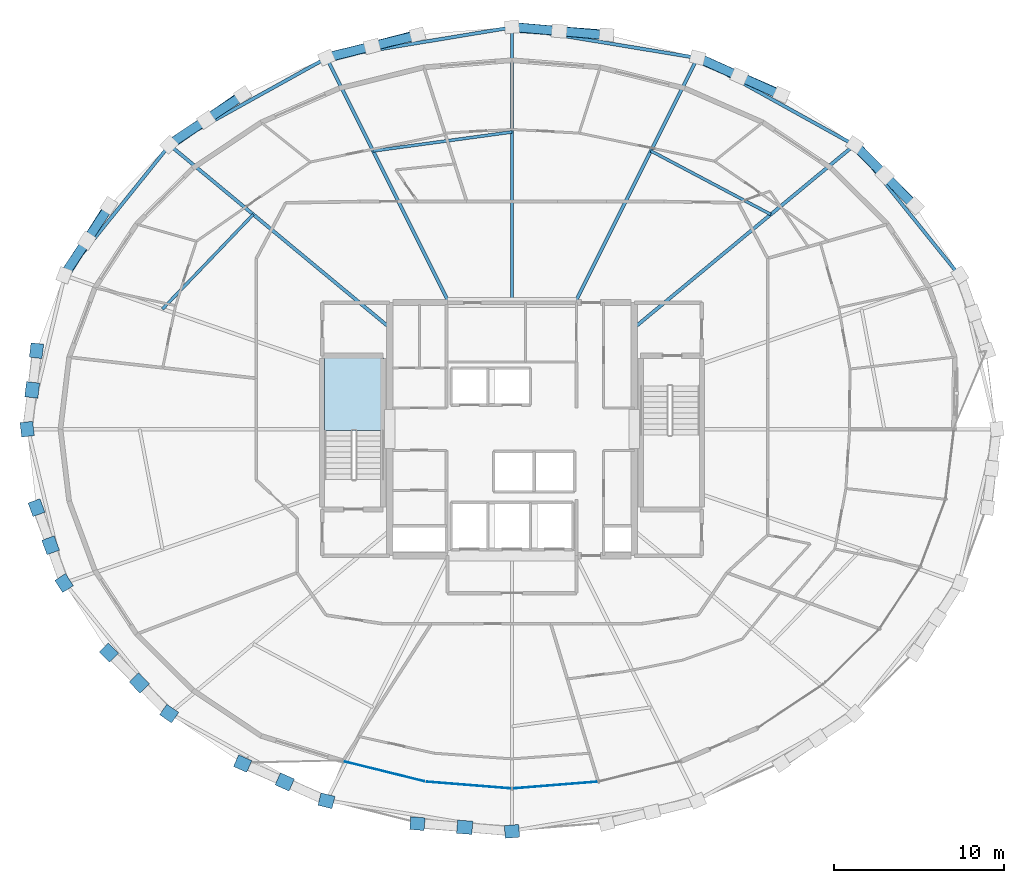
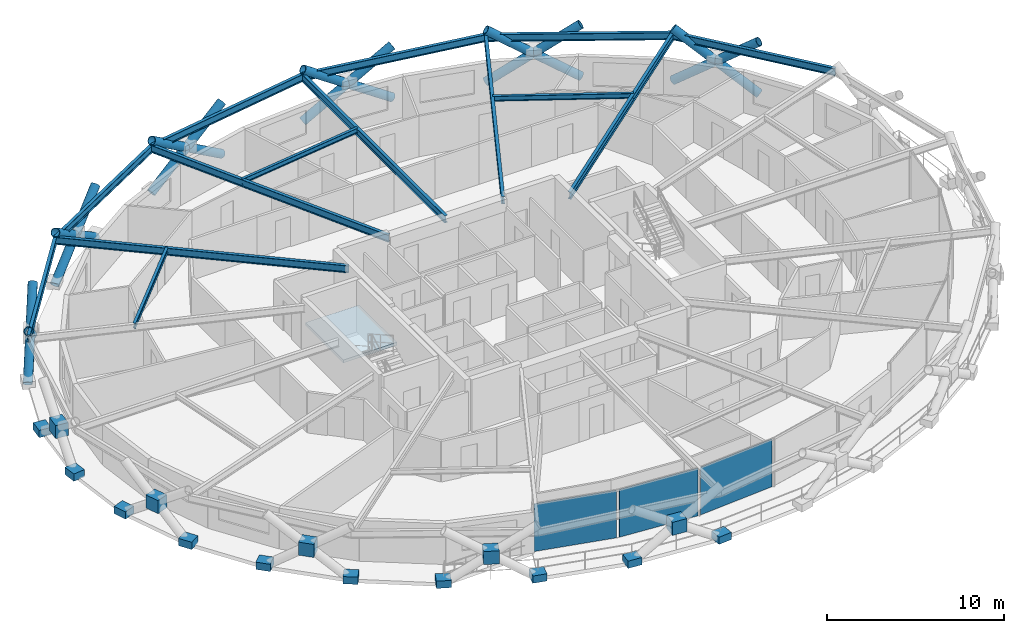
# One storey, part 11 of 20: 18 members, 18 plates, 14 beams, 1 slab, 2 elements without a shape of their own.
"""IFC4 building model written with IfcOpenShell, lengths in metres."""

import ifcopenshell
import ifcopenshell.guid

model = None  # the IFC model being written
_history = None  # IfcOwnerHistory: only IFC2X3 demands one
_inside = {}  # id of a spatial element -> (the spatial element, [elements in it])
_under = {}  # id of a project, library or spatial element -> (it, [spatial elements below it])
_declared = {}  # id of a project -> (the project, [libraries it declares])
_typed = {}  # id of a type object -> (the type object, [elements of that type])
_made_of = {}  # id of a material, layer set ... -> (it, [elements and type objects made of it])


def new_model(schema):
    """Start an empty IFC model of exactly this schema.

    Asked for "IFC4X3", IfcOpenShell would pick the latest addendum, in which some entities
    have other attributes; the version numbers below select the first issue.
    IFC2X3 requires an IfcOwnerHistory on every rooted entity: one is made here for all.
    """
    global model, _history
    if schema == "IFC4X3":
        model = ifcopenshell.file(schema_version=(4, 3, 0, 0))
    else:
        model = ifcopenshell.file(schema=schema)
    _inside.clear()
    _under.clear()
    _declared.clear()
    _typed.clear()
    _made_of.clear()
    _history = None
    if model.schema == "IFC2X3":
        org = make("IfcOrganization", Name="unknown")
        user = make(
            "IfcPersonAndOrganization",
            ThePerson=make("IfcPerson", FamilyName="unknown"),
            TheOrganization=org,
        )
        app = make(
            "IfcApplication",
            ApplicationDeveloper=org,
            Version="unknown",
            ApplicationFullName="unknown",
            ApplicationIdentifier="unknown",
        )
        _history = make(
            "IfcOwnerHistory",
            OwningUser=user,
            OwningApplication=app,
            ChangeAction="ADDED",
            CreationDate=0,
        )
    return model


def make(cls, **values):
    """One entity of the class cls with the attributes given. An attribute that is None is left unset."""
    return model.create_entity(
        cls, **{name: value for name, value in values.items() if value is not None}
    )


def rooted(cls, **values):
    """An entity with a GlobalId (a new one), such as an element, a storey or a relation."""
    return make(cls, GlobalId=ifcopenshell.guid.new(), OwnerHistory=_history, **values)


def si_unit(unit_type, name, prefix=None):
    """IfcSIUnit, for example si_unit("LENGTHUNIT", "METRE", prefix="MILLI")."""
    return make("IfcSIUnit", UnitType=unit_type, Prefix=prefix, Name=name)


def assignment(units):
    """IfcUnitAssignment: the units of a project."""
    return None if units is None else make("IfcUnitAssignment", Units=units)


def point(xyz):
    """IfcCartesianPoint."""
    return None if xyz is None else make("IfcCartesianPoint", Coordinates=xyz)


def direction(xyz):
    """IfcDirection."""
    return None if xyz is None else make("IfcDirection", DirectionRatios=xyz)


def frame(location, z_axis=None, x_axis=None):
    """IfcAxis2Placement3D, a coordinate frame: its origin and axes. An axis left out is left unset."""
    return make(
        "IfcAxis2Placement3D",
        Location=point(location),
        Axis=direction(z_axis),
        RefDirection=direction(x_axis),
    )


def frame_2d(location, x_axis=None):
    """IfcAxis2Placement2D, a coordinate frame in the plane: its origin and x axis."""
    return make(
        "IfcAxis2Placement2D", Location=point(location), RefDirection=direction(x_axis)
    )


def origin():
    """The frame at (0, 0, 0) with its axes left unset."""
    return frame((0.0, 0.0, 0.0))


def origin_2d():
    """The frame at (0, 0) in the plane with its x axis left unset."""
    return frame_2d((0.0, 0.0))


def place(relative_to, where):
    """IfcLocalPlacement: puts the frame where relative to a parent placement (None: the world)."""
    return make(
        "IfcLocalPlacement", PlacementRelTo=relative_to, RelativePlacement=where
    )


def context(
    kind, dimensions, precision=None, world=None, true_north=None, identifier=None
):
    """IfcGeometricRepresentationContext, for example the 3D "Model" context."""
    return make(
        "IfcGeometricRepresentationContext",
        ContextIdentifier=identifier,
        ContextType=kind,
        CoordinateSpaceDimension=dimensions,
        Precision=precision,
        WorldCoordinateSystem=world,
        TrueNorth=true_north,
    )


def subcontext(parent, identifier, kind, view, scale=None):
    """IfcGeometricRepresentationSubContext, for example "Body" below "Model"."""
    return make(
        "IfcGeometricRepresentationSubContext",
        ContextIdentifier=identifier,
        ContextType=kind,
        ParentContext=parent,
        TargetScale=scale,
        TargetView=view,
    )


def project(units=None, contexts=None):
    """IfcProject with its units and contexts."""
    return rooted(
        "IfcProject",
        Name="project",
        RepresentationContexts=contexts,
        UnitsInContext=assignment(units),
    )


def spatial(cls, under=None, at=None, **own):
    """A site, building, storey or space (cls), placed at a placement, below another one or the project."""
    s = rooted(cls, ObjectPlacement=at, **own)
    if under is not None:
        _under.setdefault(under.id(), (under, []))[1].append(s)
    return s


def polyline(points):
    """IfcPolyline through the points."""
    return make("IfcPolyline", Points=[point(p) for p in points])


def profile(cls, at=None, kind="AREA", **sizes):
    """A parametric profile (cls). Its sizes go by their IFC names, for example OverallWidth=200.0."""
    return make(cls, ProfileType=kind, Position=at, **sizes)


def rectangle(**sizes):
    """IfcRectangleProfileDef."""
    return profile("IfcRectangleProfileDef", **sizes)


def hollow_circle(**sizes):
    """IfcCircleHollowProfileDef."""
    return profile("IfcCircleHollowProfileDef", **sizes)


def i_section(**sizes):
    """IfcIShapeProfileDef."""
    return profile("IfcIShapeProfileDef", **sizes)


def outline(outer, holes=None, kind="AREA"):
    """IfcArbitraryClosedProfileDef: a profile drawn as a closed curve; with holes, ...WithVoids."""
    if holes is None:
        return make("IfcArbitraryClosedProfileDef", ProfileType=kind, OuterCurve=outer)
    return make(
        "IfcArbitraryProfileDefWithVoids",
        ProfileType=kind,
        OuterCurve=outer,
        InnerCurves=holes,
    )


def extrude(swept, where, along, depth):
    """IfcExtrudedAreaSolid: the profile swept, set in the frame where, extruded along a direction by depth."""
    return make(
        "IfcExtrudedAreaSolid",
        SweptArea=swept,
        Position=where,
        ExtrudedDirection=direction(along),
        Depth=depth,
    )


def shape(context_of_items, identifier, shape_type, items):
    """IfcShapeRepresentation: the items that make up one representation, for example the "Body"."""
    return make(
        "IfcShapeRepresentation",
        ContextOfItems=context_of_items,
        RepresentationIdentifier=identifier,
        RepresentationType=shape_type,
        Items=items,
    )


def material(Name=None, Category=None):
    """IfcMaterial."""
    return make("IfcMaterial", Name=Name, Category=Category)


def layer(
    of_material, thickness, ventilated=None, Name=None, Category=None, Priority=None
):
    """IfcMaterialLayer: one layer of a wall or slab, of a material (None: an air gap)."""
    return make(
        "IfcMaterialLayer",
        Material=of_material,
        LayerThickness=thickness,
        IsVentilated=ventilated,
        Name=Name,
        Category=Category,
        Priority=Priority,
    )


def layer_set(layers, Name=None):
    """IfcMaterialLayerSet."""
    return make("IfcMaterialLayerSet", MaterialLayers=layers, LayerSetName=Name)


def material_profile(
    of_material, cross_section, Name=None, Category=None, Priority=None
):
    """IfcMaterialProfile: a cross section and its material."""
    return make(
        "IfcMaterialProfile",
        Name=Name,
        Material=of_material,
        Profile=cross_section,
        Priority=Priority,
        Category=Category,
    )


def profile_set(profiles, Name=None, composite=None):
    """IfcMaterialProfileSet."""
    return make(
        "IfcMaterialProfileSet",
        Name=Name,
        MaterialProfiles=profiles,
        CompositeProfile=composite,
    )


def made_of(thing, what):
    """Note that an element or type object is made of a material, layer set ...; save() writes the relation."""
    if what is not None:
        _made_of.setdefault(what.id(), (what, []))[1].append(thing)
    return thing


def type_object(cls, material=None, **own):
    """A type object (cls), such as IfcWallType, which elements share."""
    return made_of(rooted(cls, **own), material)


def element(
    cls,
    number,
    at=None,
    inside=None,
    cuts=None,
    type_object=None,
    material=None,
    context=None,
    identifier="Body",
    shape_type=None,
    held_by="IfcProductDefinitionShape",
    body=None,
    shapes=None,
    **own,
):
    """One element of the class cls, such as IfcWall. Its Tag is "e" and its number.

    at: its placement. inside: the storey or other place that contains it. cuts: it is an
    opening in that element (IfcRelVoidsElement). A single representation is given by context,
    identifier, shape_type and body (its items); several are given by shapes. held_by: the class
    of the entity that holds the representations. save() writes the other relations.
    """
    e = rooted(cls, Tag="e%d" % number, ObjectPlacement=at, **own)
    if body is not None:
        shapes = [shape(context, identifier, shape_type, body)]
    if shapes is not None:
        e.Representation = make(held_by, Representations=shapes)
    if inside is not None:
        _inside.setdefault(inside.id(), (inside, []))[1].append(e)
    if cuts is not None:
        rooted(
            "IfcRelVoidsElement", RelatingBuildingElement=cuts, RelatedOpeningElement=e
        )
    if type_object is not None:
        _typed.setdefault(type_object.id(), (type_object, []))[1].append(e)
    return made_of(e, material)


def aggregate(whole, parts):
    """IfcRelAggregates: a whole, such as a stair, and the parts it consists of."""
    return rooted("IfcRelAggregates", RelatingObject=whole, RelatedObjects=parts)


def save(model, path):
    """Write the relations noted so far, then the file.

    IfcRelAggregates (storeys below a building ...), IfcRelContainedInSpatialStructure (elements
    in a storey), IfcRelDefinesByType, IfcRelAssociatesMaterial and IfcRelDeclares: one each for
    every whole, place, type object, material and project.
    """
    for whole, parts in _under.values():
        aggregate(whole, parts)
    for where, things in _inside.values():
        rooted(
            "IfcRelContainedInSpatialStructure",
            RelatedElements=things,
            RelatingStructure=where,
        )
    for kind, things in _typed.values():
        rooted("IfcRelDefinesByType", RelatedObjects=things, RelatingType=kind)
    for what, things in _made_of.values():
        rooted("IfcRelAssociatesMaterial", RelatedObjects=things, RelatingMaterial=what)
    for by, libraries in _declared.values():
        rooted("IfcRelDeclares", RelatingContext=by, RelatedDefinitions=libraries)
    model.write(path)


model = new_model("IFC4")

# Units and contexts
model_context = context("Model", 3, precision=1e-05, world=origin(), true_north=direction((0.0, 1.0)))
body_context = subcontext(model_context, "Body", "Model", "MODEL_VIEW")
ifc_project = project(units=[si_unit("LENGTHUNIT", "METRE"), si_unit("AREAUNIT", "SQUARE_METRE"), si_unit("VOLUMEUNIT", "CUBIC_METRE"), si_unit("PLANEANGLEUNIT", "RADIAN"), si_unit("MASSUNIT", "GRAM", prefix="KILO")], contexts=[model_context])

# Site, building, storey
site_placement = place(None, origin())
site = spatial("IfcSite", under=ifc_project, at=site_placement, CompositionType="ELEMENT")
building_placement = place(site_placement, origin())
building = spatial("IfcBuilding", under=site, at=building_placement, Name="Veldorina Hangang Commons", CompositionType="ELEMENT")
storey_placement = place(building_placement, frame((0.0, 0.0, 131.60009765625)))
storey = spatial("IfcBuildingStorey", under=building, at=storey_placement, Name="L33", CompositionType="ELEMENT", Elevation=131.60009765625)

# Beams
ifc_material_1 = material(Name="Steel SM420-TMC", Category="steel")
ifc_material_profile_1 = material_profile(ifc_material_1, i_section(OverallWidth=0.199951171875, OverallDepth=0.5, WebThickness=0.010009765625, FlangeThickness=0.01611328125, FilletRadius=0.01611328125, at=origin_2d()), Name="H-500x200x10x16")
ifc_profile_set_1 = profile_set([ifc_material_profile_1], Name="Steel SM420-TMC")
beam_type_1 = type_object("IfcBeamType", Name="BM-FG500", PredefinedType="BEAM", material=ifc_profile_set_1)
beam_1_placement = place(storey_placement, frame((39.199951171875, 29.974609375, 3.099853515625), z_axis=(0.769568516304, 0.638564247914, 0.0), x_axis=(-0.638564247914, 0.769568516304, 0.0)))
element("IfcBeam", 1, at=beam_1_placement, inside=storey, type_object=beam_type_1, Name="L33 radial floor girder 03", PredefinedType="BEAM", context=body_context, shape_type="SweptSolid", body=[
    extrude(i_section(OverallWidth=0.199951171875, OverallDepth=0.5, WebThickness=0.010009765625, FlangeThickness=0.01611328125, FilletRadius=0.01611328125, at=origin_2d()), origin(), (0.0, 0.0, 1.0), 16.837646484375),
])
beam_2_placement = place(storey_placement, frame((35.718994140625, 31.449951171875, 3.099853515625), z_axis=(0.446612976084, 0.894727248715, 0.0), x_axis=(-0.894727248715, 0.446612976084, 0.0)))
element("IfcBeam", 2, at=beam_2_placement, inside=storey, type_object=beam_type_1, Name="L33 radial floor girder 04", PredefinedType="BEAM", context=body_context, shape_type="SweptSolid", body=[
    extrude(i_section(OverallWidth=0.199951171875, OverallDepth=0.5, WebThickness=0.010009765625, FlangeThickness=0.01611328125, FilletRadius=0.01611328125, at=origin_2d()), origin(), (0.0, 0.0, 1.0), 16.099365234375),
])
beam_3_placement = place(storey_placement, frame((32.0, 31.449951171875, 3.099853515625), z_axis=(0.0, 1.0, 0.0), x_axis=(-1.0, 0.0, 0.0)))
element("IfcBeam", 3, at=beam_3_placement, inside=storey, type_object=beam_type_1, Name="L33 radial floor girder 05", PredefinedType="BEAM", context=body_context, shape_type="SweptSolid", body=[
    extrude(i_section(OverallWidth=0.199951171875, OverallDepth=0.5, WebThickness=0.010009765625, FlangeThickness=0.01611328125, FilletRadius=0.01611328125, at=origin_2d()), origin(), (0.0, 0.0, 1.0), 16.205078125),
])
beam_4_placement = place(storey_placement, frame((28.281005859375, 31.449951171875, 3.099853515625), z_axis=(-0.446612976084, 0.894727248715, 0.0), x_axis=(-0.894727248715, -0.446612976084, 0.0)))
element("IfcBeam", 4, at=beam_4_placement, inside=storey, type_object=beam_type_1, Name="L33 radial floor girder 06", PredefinedType="BEAM", context=body_context, shape_type="SweptSolid", body=[
    extrude(i_section(OverallWidth=0.199951171875, OverallDepth=0.5, WebThickness=0.010009765625, FlangeThickness=0.01611328125, FilletRadius=0.01611328125, at=origin_2d()), origin(), (0.0, 0.0, 1.0), 16.099365234375),
])
beam_5_placement = place(storey_placement, frame((24.800048828125, 29.974609375, 3.099853515625), z_axis=(-0.769568516304, 0.638564247914, 0.0), x_axis=(-0.638564247914, -0.769568516304, 0.0)))
element("IfcBeam", 5, at=beam_5_placement, inside=storey, type_object=beam_type_1, Name="L33 radial floor girder 07", PredefinedType="BEAM", context=body_context, shape_type="SweptSolid", body=[
    extrude(i_section(OverallWidth=0.199951171875, OverallDepth=0.5, WebThickness=0.010009765625, FlangeThickness=0.01611328125, FilletRadius=0.01611328125, at=origin_2d()), origin(), (0.0, 0.0, 1.0), 16.837646484375),
])
ifc_material_2 = material(Name="Steel SM355-TMC", Category="steel")
ifc_material_profile_2 = material_profile(ifc_material_2, i_section(OverallWidth=0.175048828125, OverallDepth=0.35009765625, WebThickness=0.007080078125, FlangeThickness=0.010986328125, FilletRadius=0.012939453125, at=origin_2d()), Name="H-350x175x7x11")
ifc_profile_set_2 = profile_set([ifc_material_profile_2], Name="Steel SM355-TMC")
beam_type_2 = type_object("IfcBeamType", Name="BM-JST350", PredefinedType="JOIST", material=ifc_profile_set_2)
beam_6_placement = place(storey_placement, frame((47.23388671875, 36.640869140625, 3.1748046875), z_axis=(-0.883593769179, 0.468254258996, 0.0), x_axis=(-0.468254258996, -0.883593769179, 0.0)))
element("IfcBeam", 6, at=beam_6_placement, inside=storey, type_object=beam_type_2, Name="L33 secondary floor joist 03", PredefinedType="JOIST", context=body_context, shape_type="SweptSolid", body=[
    extrude(i_section(OverallWidth=0.175048828125, OverallDepth=0.35009765625, WebThickness=0.007080078125, FlangeThickness=0.010986328125, FilletRadius=0.012939453125, at=origin_2d()), origin(), (0.0, 0.0, 1.0), 7.986572265625),
])
beam_7_placement = place(storey_placement, frame((32.0, 41.4970703125, 3.1748046875), z_axis=(-0.990807291914, -0.135280857072, 0.0), x_axis=(0.135280857072, -0.990807291914, 0.0)))
element("IfcBeam", 7, at=beam_7_placement, inside=storey, type_object=beam_type_2, Name="L33 secondary floor joist 05", PredefinedType="JOIST", context=body_context, shape_type="SweptSolid", body=[
    extrude(i_section(OverallWidth=0.175048828125, OverallDepth=0.35009765625, WebThickness=0.007080078125, FlangeThickness=0.010986328125, FilletRadius=0.012939453125, at=origin_2d()), origin(), (0.0, 0.0, 1.0), 8.2529296875),
])
beam_8_placement = place(storey_placement, frame((16.76611328125, 36.640869140625, 3.1748046875), z_axis=(-0.69240472255, -0.721509320931, 0.0), x_axis=(0.721509320931, -0.69240472255, 0.0)))
element("IfcBeam", 8, at=beam_8_placement, inside=storey, type_object=beam_type_2, Name="L33 secondary floor joist 07", PredefinedType="JOIST", context=body_context, shape_type="SweptSolid", body=[
    extrude(i_section(OverallWidth=0.175048828125, OverallDepth=0.35009765625, WebThickness=0.007080078125, FlangeThickness=0.010986328125, FilletRadius=0.012939453125, at=origin_2d()), origin(), (0.0, 0.0, 1.0), 7.71728515625),
])
ifc_material_profile_3 = material_profile(ifc_material_1, i_section(OverallWidth=0.199951171875, OverallDepth=0.5, WebThickness=0.010009765625, FlangeThickness=0.01611328125, FilletRadius=0.01611328125, at=origin_2d()), Name="H-500x200x10x16")
ifc_profile_set_3 = profile_set([ifc_material_profile_3], Name="Steel SM420-TMC")
beam_type_3 = type_object("IfcBeamType", Name="BM-RB500", PredefinedType="BEAM", material=ifc_profile_set_3)
beam_9_placement = place(storey_placement, frame((58.337158203125, 33.052490234375, 3.099853515625), z_axis=(-0.627178835143, 0.778875284464, 0.0), x_axis=(-0.778875284464, -0.627178835143, 0.0)))
element("IfcBeam", 9, at=beam_9_placement, inside=storey, type_object=beam_type_3, Name="L33 perimeter hoop ring beam 02", PredefinedType="BEAM", context=body_context, shape_type="SweptSolid", body=[
    extrude(i_section(OverallWidth=0.199951171875, OverallDepth=0.5, WebThickness=0.010009765625, FlangeThickness=0.01611328125, FilletRadius=0.01611328125, at=origin_2d()), origin(), (0.0, 0.0, 1.0), 9.852783203125),
])
beam_10_placement = place(storey_placement, frame((52.15771484375, 40.7265625, 3.099853515625), z_axis=(-0.8745642501, 0.484909653902, 0.0), x_axis=(-0.484909653902, -0.8745642501, 0.0)))
element("IfcBeam", 10, at=beam_10_placement, inside=storey, type_object=beam_type_3, Name="L33 perimeter hoop ring beam 04", PredefinedType="BEAM", context=body_context, shape_type="SweptSolid", body=[
    extrude(i_section(OverallWidth=0.199951171875, OverallDepth=0.5, WebThickness=0.010009765625, FlangeThickness=0.01611328125, FilletRadius=0.01611328125, at=origin_2d()), origin(), (0.0, 0.0, 1.0), 10.574951171875),
])
for number, where, z_axis, x_axis, name in (
    (11, (42.9091796875, 45.8544921875, 3.099853515625), (-0.986651699757, 0.162844783048, 0.0), (-0.162844783048, -0.986651699757, 0.0), "L33 perimeter hoop ring beam 06"),
    (12, (32.0, 47.655029296875, 3.099853515625), (-0.986651699757, -0.162844783048, 0.0), (0.162844783048, -0.986651699757, 0.0), "L33 perimeter hoop ring beam 08"),
):
    element("IfcBeam", number, at=place(storey_placement, frame(where, z_axis=z_axis, x_axis=x_axis)), inside=storey, type_object=beam_type_3, Name=name, PredefinedType="BEAM", context=body_context, shape_type="SweptSolid", body=[
        extrude(i_section(OverallWidth=0.199951171875, OverallDepth=0.5, WebThickness=0.010009765625, FlangeThickness=0.01611328125, FilletRadius=0.01611328125, at=origin_2d()), origin(), (0.0, 0.0, 1.0), 11.056884765625),
    ])
beam_11_placement = place(storey_placement, frame((21.0908203125, 45.8544921875, 3.099853515625), z_axis=(-0.8745642501, -0.484909653902, 0.0), x_axis=(0.484909653902, -0.8745642501, 0.0)))
element("IfcBeam", 13, at=beam_11_placement, inside=storey, type_object=beam_type_3, Name="L33 perimeter hoop ring beam 10", PredefinedType="BEAM", context=body_context, shape_type="SweptSolid", body=[
    extrude(i_section(OverallWidth=0.199951171875, OverallDepth=0.5, WebThickness=0.010009765625, FlangeThickness=0.01611328125, FilletRadius=0.01611328125, at=origin_2d()), origin(), (0.0, 0.0, 1.0), 10.574951171875),
])
beam_12_placement = place(storey_placement, frame((11.84228515625, 40.7265625, 3.099853515625), z_axis=(-0.627178835143, -0.778875284464, 0.0), x_axis=(0.778875284464, -0.627178835143, 0.0)))
element("IfcBeam", 14, at=beam_12_placement, inside=storey, type_object=beam_type_3, Name="L33 perimeter hoop ring beam 12", PredefinedType="BEAM", context=body_context, shape_type="SweptSolid", body=[
    extrude(i_section(OverallWidth=0.199951171875, OverallDepth=0.5, WebThickness=0.010009765625, FlangeThickness=0.01611328125, FilletRadius=0.01611328125, at=origin_2d()), origin(), (0.0, 0.0, 1.0), 9.852783203125),
])

# Members
ifc_material_profile_4 = material_profile(ifc_material_1, hollow_circle(Radius=0.27490234375, WallThickness=0.028076171875, at=origin_2d()), Name="CHS-550x28")
ifc_profile_set_4 = profile_set([ifc_material_profile_4], Name="Steel SM420-TMC")
member_type = type_object("IfcMemberType", Name="DG-CHS550", PredefinedType="BRACE", material=ifc_profile_set_4)
member_1_placement = place(storey_placement, frame((55.733154296875, 37.15625, 0.0), z_axis=(-0.576913412366, 0.574946036113, 0.580179256946), x_axis=(-0.705898012966, -0.708313486594, 0.0)))
element("IfcMember", 15, at=member_1_placement, inside=storey, type_object=member_type, Name="L33 continuous perimeter diagrid brace 03", PredefinedType="BRACE", context=body_context, shape_type="SweptSolid", body=[
    extrude(hollow_circle(Radius=0.27490234375, WallThickness=0.028076171875, at=origin_2d()), origin(), (0.0, 0.0, 1.0), 6.204833984375),
])
member_2_placement = place(storey_placement, frame((52.183349609375, 40.74462890625, 0.0), z_axis=(0.567956707633, -0.582384258646, 0.58159586788), x_axis=(0.715918993583, 0.698183353158, 0.0)))
element("IfcMember", 16, at=member_2_placement, inside=storey, type_object=member_type, Name="L33 split perimeter diagrid lower brace 04", PredefinedType="BRACE", context=body_context, shape_type="SweptSolid", body=[
    extrude(hollow_circle(Radius=0.27490234375, WallThickness=0.028076171875, at=origin_2d()), origin(), (0.0, 0.0, 1.0), 3.0966796875),
])
member_3_placement = place(storey_placement, frame((53.942138671875, 38.941162109375, 1.801025390625), z_axis=(0.567758538567, -0.582520892115, 0.581652518377), x_axis=(0.716122613369, 0.69797449998, 0.0)))
element("IfcMember", 17, at=member_3_placement, inside=storey, type_object=member_type, Name="L33 split perimeter diagrid upper brace 04", PredefinedType="BRACE", context=body_context, shape_type="SweptSolid", body=[
    extrude(hollow_circle(Radius=0.27490234375, WallThickness=0.028076171875, at=origin_2d()), origin(), (0.0, 0.0, 1.0), 3.092529296875),
])
member_4_placement = place(storey_placement, frame((47.85791015625, 43.689697265625, 0.0), z_axis=(-0.762674028861, 0.332877746903, 0.554545517805), x_axis=(-0.400019695762, -0.916506542804, 0.0)))
element("IfcMember", 18, at=member_4_placement, inside=storey, type_object=member_type, Name="L33 continuous perimeter diagrid brace 05", PredefinedType="BRACE", context=body_context, shape_type="SweptSolid", body=[
    extrude(hollow_circle(Radius=0.27490234375, WallThickness=0.028076171875, at=origin_2d()), origin(), (0.0, 0.0, 1.0), 6.491455078125),
])
member_5_placement = place(storey_placement, frame((42.923095703125, 45.8779296875, 0.0), z_axis=(0.758072209663, -0.341456328096, 0.555638462437), x_axis=(0.410688554058, 0.911775691475, 0.0)))
element("IfcMember", 19, at=member_5_placement, inside=storey, type_object=member_type, Name="L33 split perimeter diagrid lower brace 06", PredefinedType="BRACE", context=body_context, shape_type="SweptSolid", body=[
    extrude(hollow_circle(Radius=0.27490234375, WallThickness=0.028076171875, at=origin_2d()), origin(), (0.0, 0.0, 1.0), 3.24169921875),
])
member_6_placement = place(storey_placement, frame((45.380615234375, 44.77099609375, 1.80126953125), z_axis=(0.758018562308, -0.341640044499, 0.555598721373), x_axis=(0.410896395098, 0.911682045724, 0.0)))
element("IfcMember", 20, at=member_6_placement, inside=storey, type_object=member_type, Name="L33 split perimeter diagrid upper brace 06", PredefinedType="BRACE", context=body_context, shape_type="SweptSolid", body=[
    extrude(hollow_circle(Radius=0.27490234375, WallThickness=0.028076171875, at=origin_2d()), origin(), (0.0, 0.0, 1.0), 3.2373046875),
])
member_7_placement = place(storey_placement, frame((37.568603515625, 47.2255859375, 0.0), z_axis=(-0.838079181041, 0.064006924169, 0.541780767436), x_axis=(-0.076151592367, -0.997096251613, 0.0)))
element("IfcMember", 21, at=member_7_placement, inside=storey, type_object=member_type, Name="L33 continuous perimeter diagrid brace 07", PredefinedType="BRACE", context=body_context, shape_type="SweptSolid", body=[
    extrude(hollow_circle(Radius=0.27490234375, WallThickness=0.028076171875, at=origin_2d()), origin(), (0.0, 0.0, 1.0), 6.64453125),
])
member_8_placement = place(storey_placement, frame((32.0, 47.6806640625, 0.0), z_axis=(0.837199712187, -0.072876633423, 0.542019961085), x_axis=(0.086720151783, 0.996232711406, 0.0)))
element("IfcMember", 22, at=member_8_placement, inside=storey, type_object=member_type, Name="L33 split perimeter diagrid lower brace 08", PredefinedType="BRACE", context=body_context, shape_type="SweptSolid", body=[
    extrude(hollow_circle(Radius=0.27490234375, WallThickness=0.028076171875, at=origin_2d()), origin(), (0.0, 0.0, 1.0), 3.3232421875),
])
member_9_placement = place(storey_placement, frame((34.7822265625, 47.4384765625, 1.80126953125), z_axis=(0.837197352735, -0.072911730078, 0.542018885456), x_axis=(0.086761843711, 0.996229081324, 0.0)))
element("IfcMember", 23, at=member_9_placement, inside=storey, type_object=member_type, Name="L33 split perimeter diagrid upper brace 08", PredefinedType="BRACE", context=body_context, shape_type="SweptSolid", body=[
    extrude(hollow_circle(Radius=0.27490234375, WallThickness=0.028076171875, at=origin_2d()), origin(), (0.0, 0.0, 1.0), 3.318359375),
])
member_10_placement = place(storey_placement, frame((26.431396484375, 47.2255859375, 0.0), z_axis=(-0.810822079336, -0.208842492949, 0.546765369057), x_axis=(0.249427943275, -0.968393360734, 0.0)))
element("IfcMember", 24, at=member_10_placement, inside=storey, type_object=member_type, Name="L33 continuous perimeter diagrid brace 09", PredefinedType="BRACE", context=body_context, shape_type="SweptSolid", body=[
    extrude(hollow_circle(Radius=0.27490234375, WallThickness=0.028076171875, at=origin_2d()), origin(), (0.0, 0.0, 1.0), 6.583984375),
])
member_11_placement = place(storey_placement, frame((21.076904296875, 45.8779296875, 0.0), z_axis=(0.813506146741, 0.199990320125, 0.546087558062), x_axis=(-0.238729390581, 0.971086133189, 0.0)))
element("IfcMember", 25, at=member_11_placement, inside=storey, type_object=member_type, Name="L33 split perimeter diagrid lower brace 10", PredefinedType="BRACE", context=body_context, shape_type="SweptSolid", body=[
    extrude(hollow_circle(Radius=0.27490234375, WallThickness=0.028076171875, at=origin_2d()), origin(), (0.0, 0.0, 1.0), 3.298583984375),
])
member_12_placement = place(storey_placement, frame((23.76025390625, 46.53759765625, 1.80126953125), z_axis=(0.813503435998, 0.200058840434, 0.546066497767), x_axis=(-0.23880727018, 0.971066984152, 0.0)))
element("IfcMember", 26, at=member_12_placement, inside=storey, type_object=member_type, Name="L33 split perimeter diagrid upper brace 10", PredefinedType="BRACE", context=body_context, shape_type="SweptSolid", body=[
    extrude(hollow_circle(Radius=0.27490234375, WallThickness=0.028076171875, at=origin_2d()), origin(), (0.0, 0.0, 1.0), 3.293701171875),
])
member_13_placement = place(storey_placement, frame((16.14208984375, 43.689697265625, 0.0), z_axis=(-0.677433996556, -0.467754795348, 0.567704704701), x_axis=(0.568192979214, -0.82289533865, 0.0)))
element("IfcMember", 27, at=member_13_placement, inside=storey, type_object=member_type, Name="L33 continuous perimeter diagrid brace 11", PredefinedType="BRACE", context=body_context, shape_type="SweptSolid", body=[
    extrude(hollow_circle(Radius=0.27490234375, WallThickness=0.028076171875, at=origin_2d()), origin(), (0.0, 0.0, 1.0), 6.341064453125),
])
member_14_placement = place(storey_placement, frame((11.816650390625, 40.74462890625, 0.0), z_axis=(0.684206563852, 0.459438604808, 0.566372268383), x_axis=(-0.557469956749, 0.830197113535, 0.0)))
element("IfcMember", 28, at=member_14_placement, inside=storey, type_object=member_type, Name="L33 split perimeter diagrid lower brace 12", PredefinedType="BRACE", context=body_context, shape_type="SweptSolid", body=[
    extrude(hollow_circle(Radius=0.27490234375, WallThickness=0.028076171875, at=origin_2d()), origin(), (0.0, 0.0, 1.0), 3.180419921875),
])
member_15_placement = place(storey_placement, frame((13.99267578125, 42.205810546875, 1.80126953125), z_axis=(0.684196052354, 0.45948761853, 0.566345204235), x_axis=(-0.557516847286, 0.830165625037, 0.0)))
element("IfcMember", 29, at=member_15_placement, inside=storey, type_object=member_type, Name="L33 split perimeter diagrid upper brace 12", PredefinedType="BRACE", context=body_context, shape_type="SweptSolid", body=[
    extrude(hollow_circle(Radius=0.27490234375, WallThickness=0.028076171875, at=origin_2d()), origin(), (0.0, 0.0, 1.0), 3.17578125),
])
member_16_placement = place(storey_placement, frame((8.266845703125, 37.15625, 0.0), z_axis=(-0.429736225855, -0.678921869032, 0.595308215918), x_axis=(0.844958352638, -0.534832106653, 0.0)))
element("IfcMember", 30, at=member_16_placement, inside=storey, type_object=member_type, Name="L33 continuous perimeter diagrid brace 13", PredefinedType="BRACE", context=body_context, shape_type="SweptSolid", body=[
    extrude(hollow_circle(Radius=0.27490234375, WallThickness=0.028076171875, at=origin_2d()), origin(), (0.0, 0.0, 1.0), 6.047119140625),
])
member_17_placement = place(storey_placement, frame((5.629150390625, 33.062255859375, 0.0), z_axis=(0.441070023231, 0.67279684449, 0.593971077286), x_axis=(-0.836306056728, 0.548262874432, 0.0)))
element("IfcMember", 31, at=member_17_placement, inside=storey, type_object=member_type, Name="L33 split perimeter diagrid lower brace 14", PredefinedType="BRACE", context=body_context, shape_type="SweptSolid", body=[
    extrude(hollow_circle(Radius=0.27490234375, WallThickness=0.028076171875, at=origin_2d()), origin(), (0.0, 0.0, 1.0), 3.0322265625),
])
member_18_placement = place(storey_placement, frame((6.966552734375, 35.102294921875, 1.801025390625), z_axis=(0.441003785866, 0.672792795805, 0.594024843558), x_axis=(-0.836342295785, 0.548207592324, 0.0)))
element("IfcMember", 32, at=member_18_placement, inside=storey, type_object=member_type, Name="L33 split perimeter diagrid upper brace 14", PredefinedType="BRACE", context=body_context, shape_type="SweptSolid", body=[
    extrude(hollow_circle(Radius=0.27490234375, WallThickness=0.028076171875, at=origin_2d()), origin(), (0.0, 0.0, 1.0), 3.0283203125),
])

# Curtain wall, plates
ifc_material_3 = material(Name="Glass Low-E Triple IGU", Category="glass")
ifc_layer_1 = layer(ifc_material_3, 0.179931640625)
ifc_layer_set_1 = layer_set([ifc_layer_1], Name="Glass Low-E Triple IGU")
curtain_wall_type = type_object("IfcCurtainWallType", Name="CW-SYS-Z2", PredefinedType="NOTDEFINED", material=ifc_layer_set_1)
curtain_wall_placement = place(storey_placement, origin())
curtain_wall = element("IfcCurtainWall", 33, at=curtain_wall_placement, inside=storey, type_object=curtain_wall_type, Name="L33 unitised curtain wall CW-L33-R1", PredefinedType="NOTDEFINED")
ifc_layer_2 = layer(ifc_material_3, 0.0400390625)
ifc_layer_set_2 = layer_set([ifc_layer_2], Name="Glass Low-E Triple IGU")
plate_type_1 = type_object("IfcPlateType", Name="CW-PNL-VIS", PredefinedType="CURTAIN_PANEL", material=ifc_layer_set_2)
plate_1_placement = place(storey_placement, frame((24.482177734375, 3.84814453125, 0.0146484375), z_axis=(0.0, 0.0, 1.0), x_axis=(0.970896497312, -0.239499460349, 0.0)))
plate_1 = element("IfcPlate", 34, at=plate_1_placement, type_object=plate_type_1, Name="CW-L33-R1 facet 1 glazed vision panel", PredefinedType="CURTAIN_PANEL", context=body_context, shape_type="SweptSolid", body=[
    extrude(rectangle(XDim=4.84814453125, YDim=0.0400390625, at=origin_2d()), origin(), (0.0, 0.0, 1.0), 3.280029296875),
])
plate_2_placement = place(storey_placement, frame((29.46142578125, 3.042724609375, 0.0146484375), z_axis=(0.0, 0.0, 1.0), x_axis=(0.996808205945, -0.07983358041, 0.0)))
plate_2 = element("IfcPlate", 35, at=plate_2_placement, type_object=plate_type_1, Name="CW-L33-R1 facet 2 glazed vision panel", PredefinedType="CURTAIN_PANEL", context=body_context, shape_type="SweptSolid", body=[
    extrude(rectangle(XDim=4.913330078125, YDim=0.0400390625, at=origin_2d()), origin(), (0.0, 0.0, 1.0), 3.280029296875),
])
plate_3_placement = place(storey_placement, frame((34.53857421875, 3.042724609375, 0.0146484375), z_axis=(0.0, 0.0, 1.0), x_axis=(0.996808205945, 0.07983358041, 0.0)))
plate_3 = element("IfcPlate", 36, at=plate_3_placement, type_object=plate_type_1, Name="CW-L33-R1 facet 3 glazed vision panel", PredefinedType="CURTAIN_PANEL", context=body_context, shape_type="SweptSolid", body=[
    extrude(rectangle(XDim=4.913330078125, YDim=0.0400390625, at=origin_2d()), origin(), (0.0, 0.0, 1.0), 3.280029296875),
])
aggregate(curtain_wall, [plate_1, plate_2, plate_3])

# Plates
ifc_material_4 = material(Name="Steel SM460-TMC", Category="steel")
ifc_layer_3 = layer(ifc_material_4, 0.035888671875)
ifc_layer_set_3 = layer_set([ifc_layer_3], Name="Steel SM460-TMC")
plate_type_2 = type_object("IfcPlateType", Name="PL-STAR-36", PredefinedType="USERDEFINED", material=ifc_layer_set_3)
plate_4_placement = place(storey_placement, frame((4.0048828125, 28.619873046875, -0.090087890625), z_axis=(0.0, 0.0, 1.0), x_axis=(-0.117901368155, -0.993025310547, 0.0)))
element("IfcPlate", 37, at=plate_4_placement, inside=storey, type_object=plate_type_2, Name="L33 diagrid star-node gusset plate 15", ObjectType="GUSSET PLATE", PredefinedType="USERDEFINED", context=body_context, shape_type="SweptSolid", body=[
    extrude(rectangle(XDim=0.85009765625, YDim=0.75, at=origin_2d()), origin(), (0.0, 0.0, 1.0), 0.5),
])
plate_5_placement = place(storey_placement, frame((3.751708984375, 26.30859375, 1.35107421875), z_axis=(0.0, 0.0, 1.0), x_axis=(-0.117901368155, -0.993025310547, 0.0)))
element("IfcPlate", 38, at=plate_5_placement, inside=storey, type_object=plate_type_2, Name="L33 diagrid X-crossing star-node gusset plate 15", ObjectType="GUSSET PLATE", PredefinedType="USERDEFINED", context=body_context, shape_type="SweptSolid", body=[
    extrude(rectangle(XDim=0.89990234375, YDim=0.780029296875, at=origin_2d()), origin(), (0.0, 0.0, 1.0), 0.89990234375),
])
for number, where, z_axis, x_axis, name in (
    (39, (3.456298828125, 24.0, -0.090087890625), (0.0, 0.0, 1.0), (0.117901368155, -0.993025310547, 0.0), "L33 diagrid star-node gusset plate 16"),
    (40, (4.0048828125, 19.380126953125, -0.090087890625), (0.0, 0.0, 1.0), (0.343413828511, -0.939184189809, 0.0), "L33 diagrid star-node gusset plate 17"),
):
    element("IfcPlate", number, at=place(storey_placement, frame(where, z_axis=z_axis, x_axis=x_axis)), inside=storey, type_object=plate_type_2, Name=name, ObjectType="GUSSET PLATE", PredefinedType="USERDEFINED", context=body_context, shape_type="SweptSolid", body=[
        extrude(rectangle(XDim=0.85009765625, YDim=0.75, at=origin_2d()), origin(), (0.0, 0.0, 1.0), 0.5),
    ])
plate_6_placement = place(storey_placement, frame((4.8369140625, 17.1630859375, 1.35107421875), z_axis=(0.0, 0.0, 1.0), x_axis=(0.343413828511, -0.939184189809, 0.0)))
element("IfcPlate", 41, at=plate_6_placement, inside=storey, type_object=plate_type_2, Name="L33 diagrid X-crossing star-node gusset plate 17", ObjectType="GUSSET PLATE", PredefinedType="USERDEFINED", context=body_context, shape_type="SweptSolid", body=[
    extrude(rectangle(XDim=0.89990234375, YDim=0.780029296875, at=origin_2d()), origin(), (0.0, 0.0, 1.0), 0.89990234375),
])
for number, where, z_axis, x_axis, name in (
    (42, (5.629150390625, 14.937744140625, -0.090087890625), (0.0, 0.0, 1.0), (0.541605511656, -0.840632779365, 0.0), "L33 diagrid star-node gusset plate 18"),
    (43, (8.266845703125, 10.84375, -0.090087890625), (0.0, 0.0, 1.0), (0.703258226146, -0.710934502861, 0.0), "L33 diagrid star-node gusset plate 19"),
):
    element("IfcPlate", number, at=place(storey_placement, frame(where, z_axis=z_axis, x_axis=x_axis)), inside=storey, type_object=plate_type_2, Name=name, ObjectType="GUSSET PLATE", PredefinedType="USERDEFINED", context=body_context, shape_type="SweptSolid", body=[
        extrude(rectangle(XDim=0.85009765625, YDim=0.75, at=origin_2d()), origin(), (0.0, 0.0, 1.0), 0.5),
    ])
plate_7_placement = place(storey_placement, frame((10.057861328125, 9.058837890625, 1.35107421875), z_axis=(0.0, 0.0, 1.0), x_axis=(0.703258226146, -0.710934502861, 0.0)))
element("IfcPlate", 44, at=plate_7_placement, inside=storey, type_object=plate_type_2, Name="L33 diagrid X-crossing star-node gusset plate 19", ObjectType="GUSSET PLATE", PredefinedType="USERDEFINED", context=body_context, shape_type="SweptSolid", body=[
    extrude(rectangle(XDim=0.89990234375, YDim=0.780029296875, at=origin_2d()), origin(), (0.0, 0.0, 1.0), 0.89990234375),
])
for number, where, z_axis, x_axis, name in (
    (45, (11.816650390625, 7.25537109375, -0.090087890625), (0.0, 0.0, 1.0), (0.8265995718, -0.562790500897, 0.0), "L33 diagrid star-node gusset plate 20"),
    (46, (16.14208984375, 4.310302734375, -0.090087890625), (0.0, 0.0, 1.0), (0.914147858085, -0.405380924019, 0.0), "L33 diagrid star-node gusset plate 21"),
):
    element("IfcPlate", number, at=place(storey_placement, frame(where, z_axis=z_axis, x_axis=x_axis)), inside=storey, type_object=plate_type_2, Name=name, ObjectType="GUSSET PLATE", PredefinedType="USERDEFINED", context=body_context, shape_type="SweptSolid", body=[
        extrude(rectangle(XDim=0.85009765625, YDim=0.75, at=origin_2d()), origin(), (0.0, 0.0, 1.0), 0.5),
    ])
plate_8_placement = place(storey_placement, frame((18.619384765625, 3.22900390625, 1.351318359375), z_axis=(0.0, 0.0, 1.0), x_axis=(0.914147858085, -0.405380924019, 0.0)))
element("IfcPlate", 47, at=plate_8_placement, inside=storey, type_object=plate_type_2, Name="L33 diagrid X-crossing star-node gusset plate 21", ObjectType="GUSSET PLATE", PredefinedType="USERDEFINED", context=body_context, shape_type="SweptSolid", body=[
    extrude(rectangle(XDim=0.89990234375, YDim=0.780029296875, at=origin_2d()), origin(), (0.0, 0.0, 1.0), 0.89990234375),
])
for number, where, z_axis, x_axis, name in (
    (48, (21.076904296875, 2.1220703125, -0.090087890625), (0.0, 0.0, 1.0), (0.969761366444, -0.244055100648, 0.0), "L33 diagrid star-node gusset plate 22"),
    (49, (26.431396484375, 0.7744140625, -0.090087890625), (0.0, 0.0, 1.0), (0.996678731961, -0.081434054644, 0.0), "L33 diagrid star-node gusset plate 23"),
):
    element("IfcPlate", number, at=place(storey_placement, frame(where, z_axis=z_axis, x_axis=x_axis)), inside=storey, type_object=plate_type_2, Name=name, ObjectType="GUSSET PLATE", PredefinedType="USERDEFINED", context=body_context, shape_type="SweptSolid", body=[
        extrude(rectangle(XDim=0.85009765625, YDim=0.75, at=origin_2d()), origin(), (0.0, 0.0, 1.0), 0.5),
    ])
plate_9_placement = place(storey_placement, frame((29.2177734375, 0.5615234375, 1.351318359375), z_axis=(0.0, 0.0, 1.0), x_axis=(0.996678731961, -0.081434054644, 0.0)))
element("IfcPlate", 50, at=plate_9_placement, inside=storey, type_object=plate_type_2, Name="L33 diagrid X-crossing star-node gusset plate 23", ObjectType="GUSSET PLATE", PredefinedType="USERDEFINED", context=body_context, shape_type="SweptSolid", body=[
    extrude(rectangle(XDim=0.89990234375, YDim=0.780029296875, at=origin_2d()), origin(), (0.0, 0.0, 1.0), 0.89990234375),
])
plate_10_placement = place(storey_placement, frame((32.0, 0.3193359375, -0.090087890625), z_axis=(0.0, 0.0, 1.0), x_axis=(0.996678731961, 0.081434054644, 0.0)))
element("IfcPlate", 51, at=plate_10_placement, inside=storey, type_object=plate_type_2, Name="L33 diagrid star-node gusset plate 24", ObjectType="GUSSET PLATE", PredefinedType="USERDEFINED", context=body_context, shape_type="SweptSolid", body=[
    extrude(rectangle(XDim=0.85009765625, YDim=0.75, at=origin_2d()), origin(), (0.0, 0.0, 1.0), 0.5),
])

# Stair, slab
ifc_material_5 = material(Name="Concrete C40/50", Category="concrete")
stair_type = type_object("IfcStairType", Name="STR-DOG-1650-20R", PredefinedType="HALF_TURN_STAIR", material=ifc_material_5)
stair_placement = place(storey_placement, origin())
stair = element("IfcStair", 52, at=stair_placement, inside=storey, type_object=stair_type, Name="L33 Exit stair ST-1", PredefinedType="HALF_TURN_STAIR")
ifc_layer_4 = layer(ifc_material_5, 0.199951171875)
ifc_layer_set_4 = layer_set([ifc_layer_4], Name="Concrete C40/50")
slab_type = type_object("IfcSlabType", Name="SL-LND-200", PredefinedType="LANDING", material=ifc_layer_set_4)
slab_placement = place(storey_placement, frame((0.0, 0.0, 1.599853515625)))
slab = element("IfcSlab", 53, at=slab_placement, type_object=slab_type, Name="ST-1 landing 1", PredefinedType="LANDING", context=body_context, shape_type="SweptSolid", body=[
    extrude(outline(polyline([(24.449951171875, 23.929931640625), (24.449951171875, 28.199951171875), (20.949951171875, 28.199951171875), (20.949951171875, 23.929931640625), (24.449951171875, 23.929931640625)])), origin(), (0.0, 0.0, 1.0), 0.199951171875),
])
aggregate(stair, [slab])

save(model, "model.ifc")
